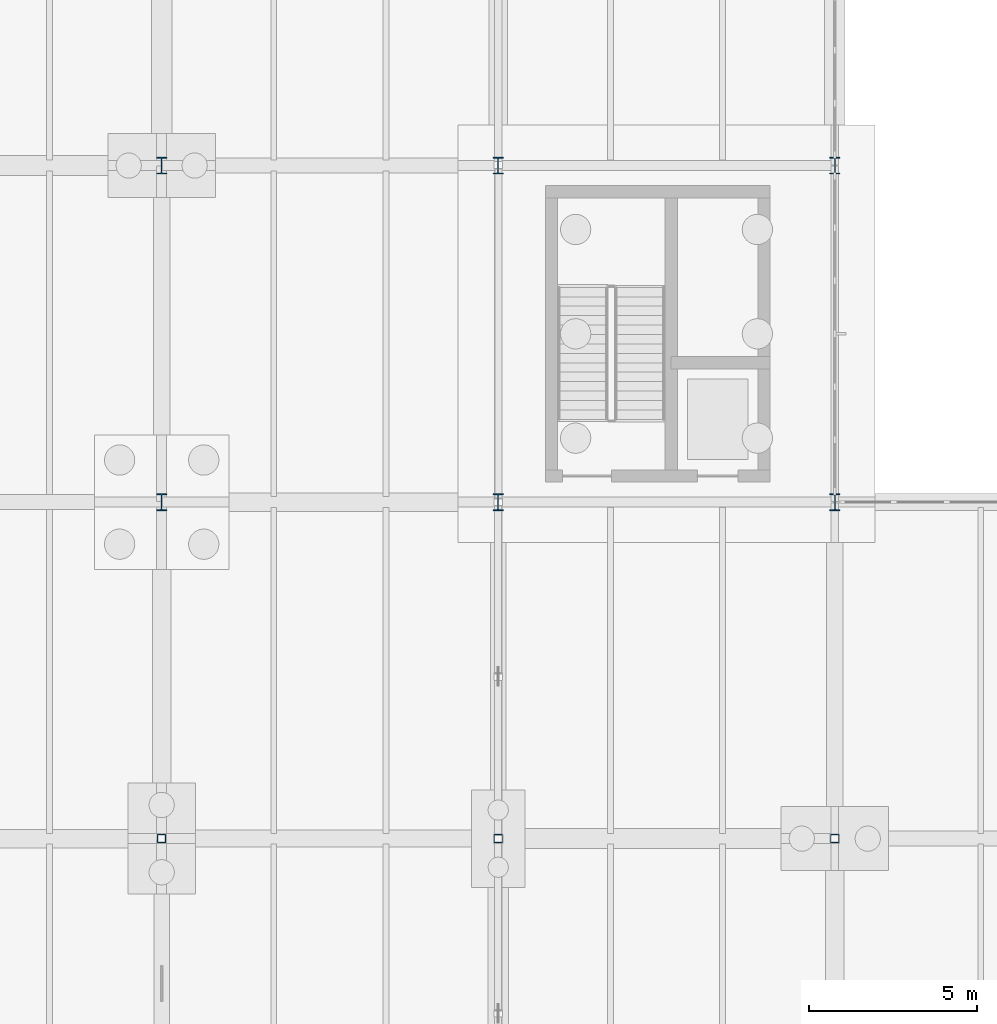
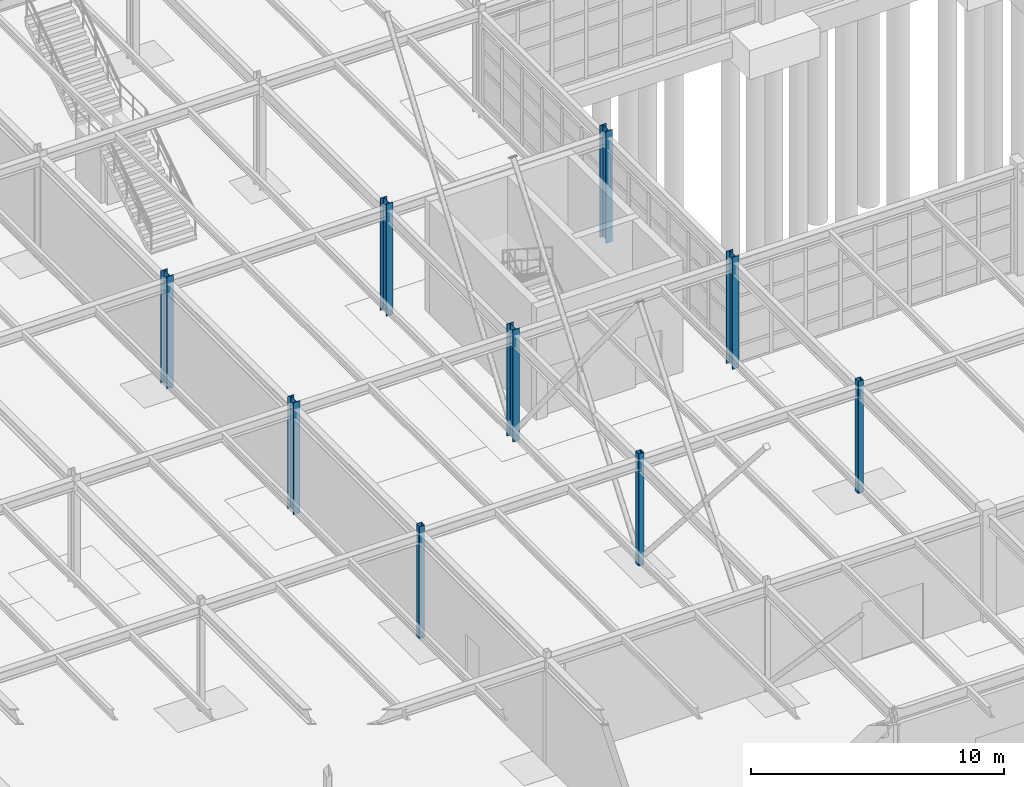
# One storey, part 18 of 145: 9 columns.
"""IFC4 building model written with IfcOpenShell, lengths in metres."""

from ifc_helpers import new_model, si_unit, direction, frame, origin, origin_2d, place, context, subcontext, project, spatial, hollow_rectangle, i_section, extrude, material, material_profile, profile_set, type_object, element, save


model = new_model("IFC4")

# Units and contexts
model_context = context("Model", 3, precision=1e-05, world=origin(), true_north=direction((0.0, 1.0)))
body_context = subcontext(model_context, "Body", "Model", "MODEL_VIEW")
ifc_project = project(units=[si_unit("LENGTHUNIT", "METRE"), si_unit("AREAUNIT", "SQUARE_METRE"), si_unit("VOLUMEUNIT", "CUBIC_METRE"), si_unit("PLANEANGLEUNIT", "RADIAN"), si_unit("MASSUNIT", "GRAM", prefix="KILO"), si_unit("THERMODYNAMICTEMPERATUREUNIT", "KELVIN"), si_unit("POWERUNIT", "WATT")], contexts=[model_context])

# Site, building, storey
site_placement = place(None, origin())
site = spatial("IfcSite", under=ifc_project, at=site_placement, CompositionType="ELEMENT")
building_placement = place(site_placement, origin())
building = spatial("IfcBuilding", under=site, at=building_placement, Name="Korenveer Ferry Terminal", CompositionType="ELEMENT")
storey_placement = place(building_placement, origin())
storey = spatial("IfcBuildingStorey", under=building, at=storey_placement, Name="L00", CompositionType="ELEMENT", Elevation=0.0)

# Columns
ifc_material = material(Name="Steel S355", Category="steel")
ifc_material_profile_1 = material_profile(ifc_material, i_section(OverallWidth=0.300048828125, OverallDepth=0.5, WebThickness=0.014404296875, FlangeThickness=0.028076171875, FilletRadius=0.027099609375, at=origin_2d()), Name="HEB 500")
ifc_profile_set_1 = profile_set([ifc_material_profile_1], Name="Steel S355")
column_type_1 = type_object("IfcColumnType", Name="STR-COL-HEB500", PredefinedType="COLUMN", material=ifc_profile_set_1)
for number, where, z_axis, x_axis, name in (
    (1, (103.0, 50.0, 0.0), (0.0, 0.0, 1.0), (1.0, 0.0, 0.0), "Column COL-L00-X103-Y50"),
    (2, (103.0, 60.0, 0.0), (0.0, 0.0, 1.0), (1.0, 0.0, 0.0), "Column COL-L00-X103-Y60"),
    (3, (113.0, 50.0, 0.0), (0.0, 0.0, 1.0), (1.0, 0.0, 0.0), "Column COL-L00-X113-Y50"),
    (4, (113.0, 60.0, 0.0), (0.0, 0.0, 1.0), (1.0, 0.0, 0.0), "Column COL-L00-X113-Y60"),
    (5, (123.0, 50.0, 0.0), (0.0, 0.0, 1.0), (1.0, 0.0, 0.0), "Column COL-L00-X123-Y50"),
    (6, (123.0, 60.0, 0.0), (0.0, 0.0, 1.0), (1.0, 0.0, 0.0), "Column COL-L00-X123-Y60"),
):
    element("IfcColumn", number, at=place(storey_placement, frame(where, z_axis=z_axis, x_axis=x_axis)), inside=storey, type_object=column_type_1, Name=name, PredefinedType="COLUMN", context=body_context, shape_type="SweptSolid", body=[
        extrude(i_section(OverallWidth=0.300048828125, OverallDepth=0.5, WebThickness=0.014404296875, FlangeThickness=0.028076171875, FilletRadius=0.027099609375, at=origin_2d()), origin(), (0.0, 0.0, 1.0), 5.39990234375),
    ])
ifc_material_profile_2 = material_profile(ifc_material, hollow_rectangle(XDim=0.25, YDim=0.25, WallThickness=0.012451171875, InnerFilletRadius=0.012451171875, OuterFilletRadius=0.018798828125, at=origin_2d()), Name="SHS 250x250x12.5")
ifc_profile_set_2 = profile_set([ifc_material_profile_2], Name="Steel S355")
column_type_2 = type_object("IfcColumnType", Name="STR-COL-SHS250", PredefinedType="COLUMN", material=ifc_profile_set_2)
for number, where, z_axis, x_axis, name in (
    (7, (103.0, 40.0, 0.0), (0.0, 0.0, 1.0), (1.0, 0.0, 0.0), "Column COL-L00-X103-Y40"),
    (8, (113.0, 40.0, 0.0), (0.0, 0.0, 1.0), (1.0, 0.0, 0.0), "Column COL-L00-X113-Y40"),
    (9, (123.0, 40.0, 0.0), (0.0, 0.0, 1.0), (1.0, 0.0, 0.0), "Column COL-L00-X123-Y40"),
):
    element("IfcColumn", number, at=place(storey_placement, frame(where, z_axis=z_axis, x_axis=x_axis)), inside=storey, type_object=column_type_2, Name=name, PredefinedType="COLUMN", context=body_context, shape_type="SweptSolid", body=[
        extrude(hollow_rectangle(XDim=0.25, YDim=0.25, WallThickness=0.012451171875, InnerFilletRadius=0.012451171875, OuterFilletRadius=0.018798828125, at=origin_2d()), origin(), (0.0, 0.0, 1.0), 5.39990234375),
    ])

save(model, "model.ifc")
